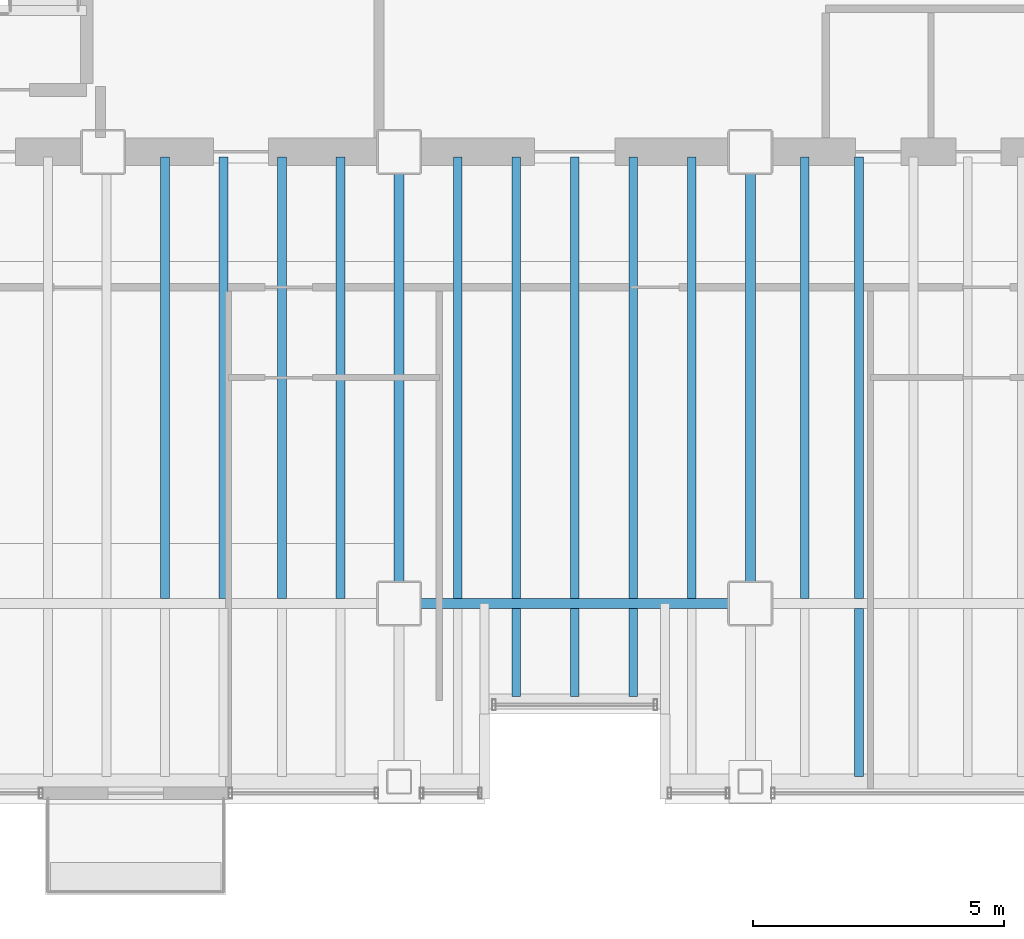
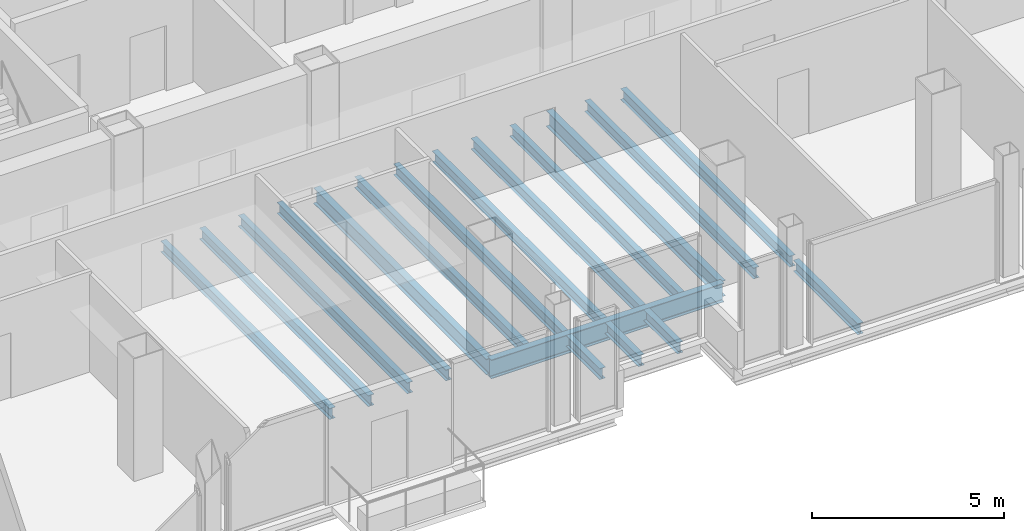
# One storey, part 5 of 19: 18 beams.
"""IFC4 building model written with IfcOpenShell, lengths in metres."""

from ifc_helpers import new_model, si_unit, direction, frame, origin, origin_2d, place, context, subcontext, project, spatial, i_section, extrude, material, material_profile, profile_set, type_object, element, save


model = new_model("IFC4")

# Units and contexts
model_context = context("Model", 3, precision=1e-05, world=origin(), true_north=direction((0.0, 1.0)))
body_context = subcontext(model_context, "Body", "Model", "MODEL_VIEW")
ifc_project = project(units=[si_unit("LENGTHUNIT", "METRE"), si_unit("AREAUNIT", "SQUARE_METRE"), si_unit("VOLUMEUNIT", "CUBIC_METRE"), si_unit("PLANEANGLEUNIT", "RADIAN"), si_unit("MASSUNIT", "GRAM", prefix="KILO")], contexts=[model_context])

# Site, building, storey
site_placement = place(None, origin())
site = spatial("IfcSite", under=ifc_project, at=site_placement, CompositionType="ELEMENT")
building_placement = place(site_placement, origin())
building = spatial("IfcBuilding", under=site, at=building_placement, Name="Noeulbin Bourse Tower", CompositionType="ELEMENT")
storey_placement = place(building_placement, frame((0.0, 0.0, 157.800048828125)))
storey = spatial("IfcBuildingStorey", under=building, at=storey_placement, Name="L39", CompositionType="ELEMENT", Elevation=157.800048828125)

# Beams
ifc_material = material(Name="Steel S355", Category="steel")
ifc_material_profile_1 = material_profile(ifc_material, i_section(OverallWidth=0.199951171875, OverallDepth=0.5, WebThickness=0.010009765625, FlangeThickness=0.01611328125, FilletRadius=0.02001953125, at=origin_2d()), Name="H-500x200x10x16", Category="LoadBearing")
ifc_profile_set_1 = profile_set([ifc_material_profile_1], Name="Steel S355")
beam_type_1 = type_object("IfcBeamType", Name="BM-GRD-500", PredefinedType="USERDEFINED", material=ifc_profile_set_1)
for number, where, z_axis, x_axis, name in (
    (1, (24.0, 20.0, -0.429931640625), (0.0, 1.0, 0.0), (-1.0, 0.0, 0.0), "Tower Primary Girder NS L39-2.2"),
    (2, (31.0, 20.0, -0.429931640625), (0.0, 1.0, 0.0), (-1.0, 0.0, 0.0), "Tower Primary Girder NS L39-3.2"),
):
    element("IfcBeam", number, at=place(storey_placement, frame(where, z_axis=z_axis, x_axis=x_axis)), inside=storey, type_object=beam_type_1, Name=name, ObjectType="GIRDER", PredefinedType="USERDEFINED", context=body_context, shape_type="SweptSolid", body=[
        extrude(i_section(OverallWidth=0.199951171875, OverallDepth=0.5, WebThickness=0.010009765625, FlangeThickness=0.01611328125, FilletRadius=0.02001953125, at=origin_2d()), origin(), (0.0, 0.0, 1.0), 9.0),
    ])
ifc_material_profile_2 = material_profile(ifc_material, i_section(OverallWidth=0.199951171875, OverallDepth=0.60009765625, WebThickness=0.010986328125, FlangeThickness=0.01708984375, FilletRadius=0.02197265625, at=origin_2d()), Name="H-600x200x11x17", Category="LoadBearing")
ifc_profile_set_2 = profile_set([ifc_material_profile_2], Name="Steel S355")
beam_type_2 = type_object("IfcBeamType", Name="BM-GRD-600", PredefinedType="USERDEFINED", material=ifc_profile_set_2)
beam_1_placement = place(storey_placement, frame((24.0, 20.0, -0.47998046875), z_axis=(1.0, 0.0, 0.0), x_axis=(0.0, 1.0, 0.0)))
element("IfcBeam", 3, at=beam_1_placement, inside=storey, type_object=beam_type_2, Name="Tower Primary Girder EW L39-1.3", ObjectType="GIRDER", PredefinedType="USERDEFINED", context=body_context, shape_type="SweptSolid", body=[
    extrude(i_section(OverallWidth=0.199951171875, OverallDepth=0.60009765625, WebThickness=0.010986328125, FlangeThickness=0.01708984375, FilletRadius=0.02197265625, at=origin_2d()), origin(), (0.0, 0.0, 1.0), 7.0),
])
ifc_material_profile_3 = material_profile(ifc_material, i_section(OverallWidth=0.175048828125, OverallDepth=0.35009765625, WebThickness=0.007080078125, FlangeThickness=0.010986328125, FilletRadius=0.013916015625, at=origin_2d()), Name="H-350x175x7x11", Category="LoadBearing")
ifc_profile_set_3 = profile_set([ifc_material_profile_3], Name="Steel S355")
beam_type_3 = type_object("IfcBeamType", Name="BM-JST-350", PredefinedType="JOIST", material=ifc_profile_set_3)
for number, where, z_axis, x_axis, name in (
    (4, (19.333251953125, 20.10009765625, -0.35498046875), (0.0, 1.0, 0.0), (-1.0, 0.0, 0.0), "Tower Composite Joist L39-14"),
    (5, (20.5, 20.10009765625, -0.35498046875), (0.0, 1.0, 0.0), (-1.0, 0.0, 0.0), "Tower Composite Joist L39-17"),
    (6, (21.666748046875, 20.10009765625, -0.35498046875), (0.0, 1.0, 0.0), (-1.0, 0.0, 0.0), "Tower Composite Joist L39-20"),
    (7, (22.833251953125, 20.10009765625, -0.35498046875), (0.0, 1.0, 0.0), (-1.0, 0.0, 0.0), "Tower Composite Joist L39-23"),
    (8, (25.166748046875, 20.10009765625, -0.35498046875), (0.0, 1.0, 0.0), (-1.0, 0.0, 0.0), "Tower Composite Joist L39-26"),
):
    element("IfcBeam", number, at=place(storey_placement, frame(where, z_axis=z_axis, x_axis=x_axis)), inside=storey, type_object=beam_type_3, Name=name, PredefinedType="JOIST", context=body_context, shape_type="SweptSolid", body=[
        extrude(i_section(OverallWidth=0.175048828125, OverallDepth=0.35009765625, WebThickness=0.007080078125, FlangeThickness=0.010986328125, FilletRadius=0.013916015625, at=origin_2d()), origin(), (0.0, 0.0, 1.0), 8.7998046875),
    ])
beam_2_placement = place(storey_placement, frame((26.333251953125, 18.14990234375, -0.35498046875), z_axis=(0.0, 1.0, 0.0), x_axis=(-1.0, 0.0, 0.0)))
element("IfcBeam", 9, at=beam_2_placement, inside=storey, type_object=beam_type_3, Name="Tower Composite Joist L39-28", PredefinedType="JOIST", context=body_context, shape_type="SweptSolid", body=[
    extrude(i_section(OverallWidth=0.175048828125, OverallDepth=0.35009765625, WebThickness=0.007080078125, FlangeThickness=0.010986328125, FilletRadius=0.013916015625, at=origin_2d()), origin(), (0.0, 0.0, 1.0), 1.75),
])
beam_3_placement = place(storey_placement, frame((26.333251953125, 20.10009765625, -0.35498046875), z_axis=(0.0, 1.0, 0.0), x_axis=(-1.0, 0.0, 0.0)))
element("IfcBeam", 10, at=beam_3_placement, inside=storey, type_object=beam_type_3, Name="Tower Composite Joist L39-29", PredefinedType="JOIST", context=body_context, shape_type="SweptSolid", body=[
    extrude(i_section(OverallWidth=0.175048828125, OverallDepth=0.35009765625, WebThickness=0.007080078125, FlangeThickness=0.010986328125, FilletRadius=0.013916015625, at=origin_2d()), origin(), (0.0, 0.0, 1.0), 8.7998046875),
])
beam_4_placement = place(storey_placement, frame((27.5, 18.14990234375, -0.35498046875), z_axis=(0.0, 1.0, 0.0), x_axis=(-1.0, 0.0, 0.0)))
element("IfcBeam", 11, at=beam_4_placement, inside=storey, type_object=beam_type_3, Name="Tower Composite Joist L39-31", PredefinedType="JOIST", context=body_context, shape_type="SweptSolid", body=[
    extrude(i_section(OverallWidth=0.175048828125, OverallDepth=0.35009765625, WebThickness=0.007080078125, FlangeThickness=0.010986328125, FilletRadius=0.013916015625, at=origin_2d()), origin(), (0.0, 0.0, 1.0), 1.75),
])
beam_5_placement = place(storey_placement, frame((27.5, 20.10009765625, -0.35498046875), z_axis=(0.0, 1.0, 0.0), x_axis=(-1.0, 0.0, 0.0)))
element("IfcBeam", 12, at=beam_5_placement, inside=storey, type_object=beam_type_3, Name="Tower Composite Joist L39-32", PredefinedType="JOIST", context=body_context, shape_type="SweptSolid", body=[
    extrude(i_section(OverallWidth=0.175048828125, OverallDepth=0.35009765625, WebThickness=0.007080078125, FlangeThickness=0.010986328125, FilletRadius=0.013916015625, at=origin_2d()), origin(), (0.0, 0.0, 1.0), 8.7998046875),
])
beam_6_placement = place(storey_placement, frame((28.666748046875, 18.14990234375, -0.35498046875), z_axis=(0.0, 1.0, 0.0), x_axis=(-1.0, 0.0, 0.0)))
element("IfcBeam", 13, at=beam_6_placement, inside=storey, type_object=beam_type_3, Name="Tower Composite Joist L39-34", PredefinedType="JOIST", context=body_context, shape_type="SweptSolid", body=[
    extrude(i_section(OverallWidth=0.175048828125, OverallDepth=0.35009765625, WebThickness=0.007080078125, FlangeThickness=0.010986328125, FilletRadius=0.013916015625, at=origin_2d()), origin(), (0.0, 0.0, 1.0), 1.75),
])
for number, where, z_axis, x_axis, name in (
    (14, (28.666748046875, 20.10009765625, -0.35498046875), (0.0, 1.0, 0.0), (-1.0, 0.0, 0.0), "Tower Composite Joist L39-35"),
    (15, (29.833251953125, 20.10009765625, -0.35498046875), (0.0, 1.0, 0.0), (-1.0, 0.0, 0.0), "Tower Composite Joist L39-38"),
    (16, (32.083251953125, 20.10009765625, -0.35498046875), (0.0, 1.0, 0.0), (-1.0, 0.0, 0.0), "Tower Composite Joist L39-41"),
):
    element("IfcBeam", number, at=place(storey_placement, frame(where, z_axis=z_axis, x_axis=x_axis)), inside=storey, type_object=beam_type_3, Name=name, PredefinedType="JOIST", context=body_context, shape_type="SweptSolid", body=[
        extrude(i_section(OverallWidth=0.175048828125, OverallDepth=0.35009765625, WebThickness=0.007080078125, FlangeThickness=0.010986328125, FilletRadius=0.013916015625, at=origin_2d()), origin(), (0.0, 0.0, 1.0), 8.7998046875),
    ])
beam_7_placement = place(storey_placement, frame((33.166748046875, 16.550048828125, -0.35498046875), z_axis=(0.0, 1.0, 0.0), x_axis=(-1.0, 0.0, 0.0)))
element("IfcBeam", 17, at=beam_7_placement, inside=storey, type_object=beam_type_3, Name="Tower Composite Joist L39-43", PredefinedType="JOIST", context=body_context, shape_type="SweptSolid", body=[
    extrude(i_section(OverallWidth=0.175048828125, OverallDepth=0.35009765625, WebThickness=0.007080078125, FlangeThickness=0.010986328125, FilletRadius=0.013916015625, at=origin_2d()), origin(), (0.0, 0.0, 1.0), 3.349853515625),
])
beam_8_placement = place(storey_placement, frame((33.166748046875, 20.10009765625, -0.35498046875), z_axis=(0.0, 1.0, 0.0), x_axis=(-1.0, 0.0, 0.0)))
element("IfcBeam", 18, at=beam_8_placement, inside=storey, type_object=beam_type_3, Name="Tower Composite Joist L39-44", PredefinedType="JOIST", context=body_context, shape_type="SweptSolid", body=[
    extrude(i_section(OverallWidth=0.175048828125, OverallDepth=0.35009765625, WebThickness=0.007080078125, FlangeThickness=0.010986328125, FilletRadius=0.013916015625, at=origin_2d()), origin(), (0.0, 0.0, 1.0), 8.7998046875),
])

save(model, "model.ifc")
